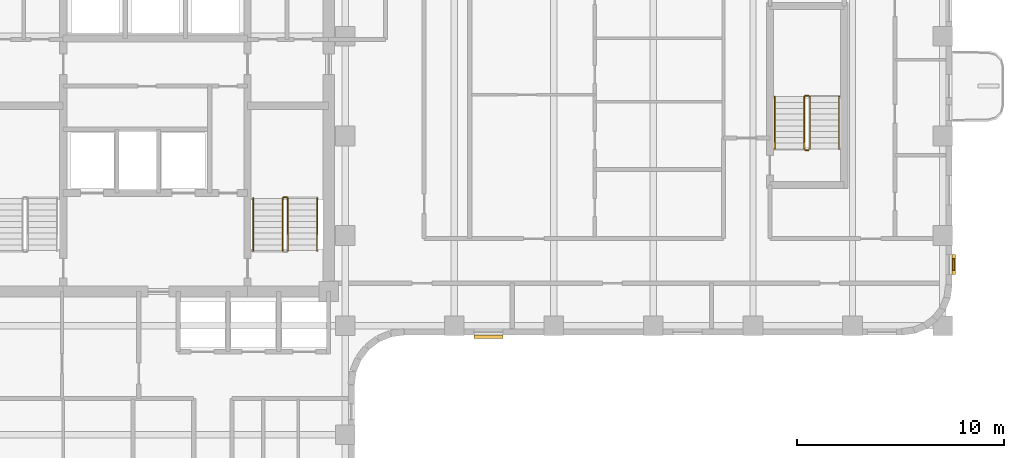
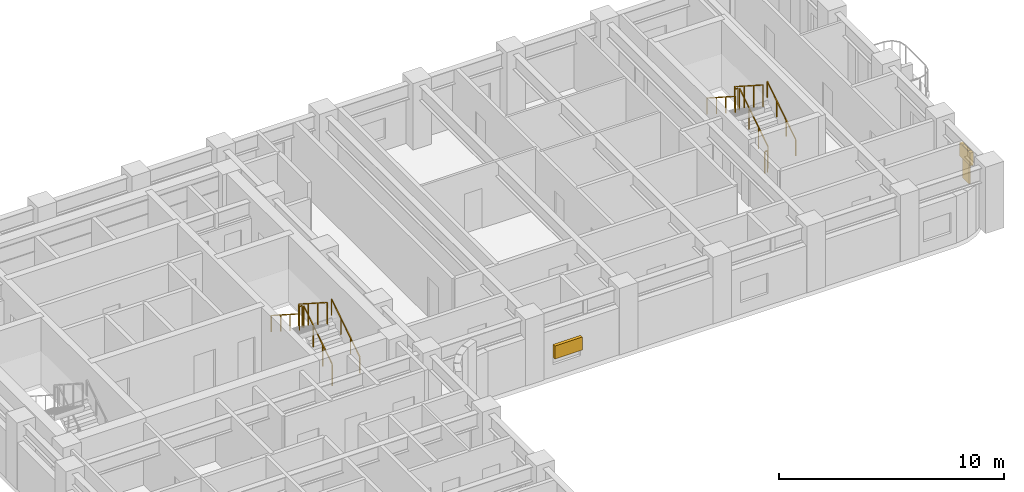
# One storey, part 9 of 10: 11 railings, 3 shading devices.
"""IFC4 building model written with IfcOpenShell, lengths in metres."""

from ifc_helpers import new_model, si_unit, direction, frame, origin, origin_2d, place, context, subcontext, project, spatial, rectangle, extrude, material, type_object, element, save


model = new_model("IFC4")

# Units and contexts
model_context = context("Model", 3, precision=1e-05, world=origin(), true_north=direction((0.0, 1.0)))
body_context = subcontext(model_context, "Body", "Model", "MODEL_VIEW")
ifc_project = project(units=[si_unit("LENGTHUNIT", "METRE"), si_unit("AREAUNIT", "SQUARE_METRE"), si_unit("VOLUMEUNIT", "CUBIC_METRE"), si_unit("PLANEANGLEUNIT", "RADIAN"), si_unit("MASSUNIT", "GRAM", prefix="KILO")], contexts=[model_context])

# Site, building, storey
site_placement = place(None, origin())
site = spatial("IfcSite", under=ifc_project, at=site_placement, CompositionType="ELEMENT")
building_placement = place(site_placement, origin())
building = spatial("IfcBuilding", under=site, at=building_placement, Name="Orvandelia Arch Residences", CompositionType="ELEMENT")
storey_placement = place(building_placement, frame((0.0, 0.0, 139.60009765625)))
storey = spatial("IfcBuildingStorey", under=building, at=storey_placement, Name="L36", CompositionType="ELEMENT", Elevation=139.60009765625)

# Railings
ifc_material_1 = material(Name="Brushed Stainless Steel 304", Category="steel")
railing_type_1 = type_object("IfcRailingType", Name="RL-STAIR-GD1120", PredefinedType="GUARDRAIL", material=ifc_material_1)
railing_1_placement = place(storey_placement, frame((20.780029296875, 32.8701171875, 0.179931640625)))
element("IfcRailing", 1, at=railing_1_placement, inside=storey, type_object=railing_type_1, Name="L36 ST-2 stair guard 1", PredefinedType="GUARDRAIL", context=body_context, shape_type="SweptSolid", body=[
    extrude(rectangle(XDim=0.048095703125, YDim=0.048095703125, at=origin_2d()), frame((0.0, 0.0, 1.17578125), z_axis=(0.0, 0.841175827307, 0.540761710511), x_axis=(-1.0, 0.0, 0.0)), (0.0, 0.0, 1.0), 2.99560546875),
    extrude(rectangle(XDim=0.0419921875, YDim=0.0419921875, at=origin_2d()), origin(), (0.0, 0.0, 1.0), 1.15185546875),
    extrude(rectangle(XDim=0.0419921875, YDim=0.0419921875, at=origin_2d()), frame((0.0, 0.83984375, 0.5400390625)), (0.0, 0.0, 1.0), 1.15185546875),
    extrude(rectangle(XDim=0.0419921875, YDim=0.0419921875, at=origin_2d()), frame((0.0, 1.679931640625, 1.079833984375)), (0.0, 0.0, 1.0), 1.15185546875),
    extrude(rectangle(XDim=0.0419921875, YDim=0.0419921875, at=origin_2d()), frame((0.0, 2.519775390625, 1.619873046875)), (0.0, 0.0, 1.0), 1.15185546875),
])
railing_2_placement = place(storey_placement, frame((20.72998046875, 35.43994140625, 1.7998046875)))
element("IfcRailing", 2, at=railing_2_placement, inside=storey, type_object=railing_type_1, Name="L36 ST-2 stair guard 2", PredefinedType="GUARDRAIL", context=body_context, shape_type="SweptSolid", body=[
    extrude(rectangle(XDim=0.048095703125, YDim=0.048095703125, at=origin_2d()), frame((0.0, 0.0, 1.17578125), z_axis=(-1.0, 0.0, 0.0), x_axis=(0.0, -1.0, 0.0)), (0.0, 0.0, 1.0), 0.14990234375),
    extrude(rectangle(XDim=0.0419921875, YDim=0.0419921875, at=origin_2d()), origin(), (0.0, 0.0, 1.0), 1.15185546875),
    extrude(rectangle(XDim=0.0419921875, YDim=0.0419921875, at=origin_2d()), frame((-0.14990234375, 0.0, 0.0)), (0.0, 0.0, 1.0), 1.15185546875),
])
railing_3_placement = place(storey_placement, frame((20.530029296875, 35.389892578125, 1.97998046875)))
element("IfcRailing", 3, at=railing_3_placement, inside=storey, type_object=railing_type_1, Name="L36 ST-2 stair guard 3", PredefinedType="GUARDRAIL", context=body_context, shape_type="SweptSolid", body=[
    extrude(rectangle(XDim=0.048095703125, YDim=0.048095703125, at=origin_2d()), frame((0.0, 0.0, 1.17578125), z_axis=(0.0, -0.841175827307, 0.540761710511), x_axis=(1.0, 0.0, 0.0)), (0.0, 0.0, 1.0), 2.99560546875),
    extrude(rectangle(XDim=0.0419921875, YDim=0.0419921875, at=origin_2d()), origin(), (0.0, 0.0, 1.0), 1.15185546875),
    extrude(rectangle(XDim=0.0419921875, YDim=0.0419921875, at=origin_2d()), frame((0.0, -0.83984375, 0.5400390625)), (0.0, 0.0, 1.0), 1.15185546875),
    extrude(rectangle(XDim=0.0419921875, YDim=0.0419921875, at=origin_2d()), frame((0.0, -1.679931640625, 1.079833984375)), (0.0, 0.0, 1.0), 1.15185546875),
    extrude(rectangle(XDim=0.0419921875, YDim=0.0419921875, at=origin_2d()), frame((0.0, -2.519775390625, 1.619873046875)), (0.0, 0.0, 1.0), 1.15185546875),
])
railing_4_placement = place(storey_placement, frame((45.929931640625, 37.77001953125, 0.179931640625)))
element("IfcRailing", 4, at=railing_4_placement, inside=storey, type_object=railing_type_1, Name="L36 ST-3 stair guard 1", PredefinedType="GUARDRAIL", context=body_context, shape_type="SweptSolid", body=[
    extrude(rectangle(XDim=0.048095703125, YDim=0.048095703125, at=origin_2d()), frame((0.0, 0.0, 1.17578125), z_axis=(0.0, 0.841199657755, 0.540724639528), x_axis=(-1.0, 0.0, 0.0)), (0.0, 0.0, 1.0), 2.995849609375),
    extrude(rectangle(XDim=0.0419921875, YDim=0.0419921875, at=origin_2d()), origin(), (0.0, 0.0, 1.0), 1.15185546875),
    extrude(rectangle(XDim=0.0419921875, YDim=0.0419921875, at=origin_2d()), frame((0.0, 0.840087890625, 0.5400390625)), (0.0, 0.0, 1.0), 1.15185546875),
    extrude(rectangle(XDim=0.0419921875, YDim=0.0419921875, at=origin_2d()), frame((0.0, 1.679931640625, 1.079833984375)), (0.0, 0.0, 1.0), 1.15185546875),
    extrude(rectangle(XDim=0.0419921875, YDim=0.0419921875, at=origin_2d()), frame((0.0, 2.52001953125, 1.619873046875)), (0.0, 0.0, 1.0), 1.15185546875),
])
railing_5_placement = place(storey_placement, frame((45.8798828125, 40.340087890625, 1.7998046875)))
element("IfcRailing", 5, at=railing_5_placement, inside=storey, type_object=railing_type_1, Name="L36 ST-3 stair guard 2", PredefinedType="GUARDRAIL", context=body_context, shape_type="SweptSolid", body=[
    extrude(rectangle(XDim=0.048095703125, YDim=0.048095703125, at=origin_2d()), frame((0.0, 0.0, 1.17578125), z_axis=(-1.0, 0.0, 0.0), x_axis=(0.0, -1.0, 0.0)), (0.0, 0.0, 1.0), 0.14990234375),
    extrude(rectangle(XDim=0.0419921875, YDim=0.0419921875, at=origin_2d()), origin(), (0.0, 0.0, 1.0), 1.15185546875),
    extrude(rectangle(XDim=0.0419921875, YDim=0.0419921875, at=origin_2d()), frame((-0.14990234375, 0.0, 0.0)), (0.0, 0.0, 1.0), 1.15185546875),
])
railing_6_placement = place(storey_placement, frame((45.679931640625, 40.2900390625, 1.97998046875)))
element("IfcRailing", 6, at=railing_6_placement, inside=storey, type_object=railing_type_1, Name="L36 ST-3 stair guard 3", PredefinedType="GUARDRAIL", context=body_context, shape_type="SweptSolid", body=[
    extrude(rectangle(XDim=0.048095703125, YDim=0.048095703125, at=origin_2d()), frame((0.0, 0.0, 1.17578125), z_axis=(0.0, -0.841199657755, 0.540724639528), x_axis=(1.0, 0.0, 0.0)), (0.0, 0.0, 1.0), 2.995849609375),
    extrude(rectangle(XDim=0.0419921875, YDim=0.0419921875, at=origin_2d()), origin(), (0.0, 0.0, 1.0), 1.15185546875),
    extrude(rectangle(XDim=0.0419921875, YDim=0.0419921875, at=origin_2d()), frame((0.0, -0.840087890625, 0.5400390625)), (0.0, 0.0, 1.0), 1.15185546875),
    extrude(rectangle(XDim=0.0419921875, YDim=0.0419921875, at=origin_2d()), frame((0.0, -1.679931640625, 1.079833984375)), (0.0, 0.0, 1.0), 1.15185546875),
    extrude(rectangle(XDim=0.0419921875, YDim=0.0419921875, at=origin_2d()), frame((0.0, -2.52001953125, 1.619873046875)), (0.0, 0.0, 1.0), 1.15185546875),
])
railing_7_placement = place(storey_placement, frame((45.8798828125, 37.719970703125, 0.0)))
element("IfcRailing", 7, at=railing_7_placement, inside=storey, type_object=railing_type_1, Name="L36 ST-3 stair guard 4", PredefinedType="GUARDRAIL", context=body_context, shape_type="SweptSolid", body=[
    extrude(rectangle(XDim=0.048095703125, YDim=0.048095703125, at=origin_2d()), frame((0.0, 0.0, 1.17578125), z_axis=(-1.0, 0.0, 0.0), x_axis=(0.0, -1.0, 0.0)), (0.0, 0.0, 1.0), 0.14990234375),
    extrude(rectangle(XDim=0.0419921875, YDim=0.0419921875, at=origin_2d()), origin(), (0.0, 0.0, 1.0), 1.15185546875),
    extrude(rectangle(XDim=0.0419921875, YDim=0.0419921875, at=origin_2d()), frame((-0.14990234375, 0.0, 0.0)), (0.0, 0.0, 1.0), 1.15185546875),
])
railing_type_2 = type_object("IfcRailingType", Name="RL-STAIR-HR920", PredefinedType="HANDRAIL", material=ifc_material_1)
railing_8_placement = place(storey_placement, frame((22.199951171875, 32.8701171875, 0.35986328125)))
element("IfcRailing", 8, at=railing_8_placement, inside=storey, type_object=railing_type_2, Name="L36 ST-2 stair handrail 1", PredefinedType="HANDRAIL", context=body_context, shape_type="SweptSolid", body=[
    extrude(rectangle(XDim=0.048095703125, YDim=0.048095703125, at=origin_2d()), frame((0.0, 0.0, 0.8759765625), z_axis=(0.0, 0.841138753965, 0.540819375188), x_axis=(-1.0, 0.0, 0.0)), (0.0, 0.0, 1.0), 2.99560546875),
    extrude(rectangle(XDim=0.0419921875, YDim=0.0419921875, at=origin_2d()), origin(), (0.0, 0.0, 1.0), 0.851806640625),
    extrude(rectangle(XDim=0.0419921875, YDim=0.0419921875, at=origin_2d()), frame((0.0, 0.83984375, 0.5400390625)), (0.0, 0.0, 1.0), 0.851806640625),
    extrude(rectangle(XDim=0.0419921875, YDim=0.0419921875, at=origin_2d()), frame((0.0, 1.679931640625, 1.080078125)), (0.0, 0.0, 1.0), 0.851806640625),
    extrude(rectangle(XDim=0.0419921875, YDim=0.0419921875, at=origin_2d()), frame((0.0, 2.519775390625, 1.6201171875)), (0.0, 0.0, 1.0), 0.851806640625),
])
railing_9_placement = place(storey_placement, frame((19.110107421875, 35.389892578125, 2.159912109375)))
element("IfcRailing", 9, at=railing_9_placement, inside=storey, type_object=railing_type_2, Name="L36 ST-2 stair handrail 2", PredefinedType="HANDRAIL", context=body_context, shape_type="SweptSolid", body=[
    extrude(rectangle(XDim=0.048095703125, YDim=0.048095703125, at=origin_2d()), frame((0.0, 0.0, 0.8759765625), z_axis=(0.0, -0.841175827307, 0.540761710511), x_axis=(1.0, 0.0, 0.0)), (0.0, 0.0, 1.0), 2.99560546875),
    extrude(rectangle(XDim=0.0419921875, YDim=0.0419921875, at=origin_2d()), origin(), (0.0, 0.0, 1.0), 0.851806640625),
    extrude(rectangle(XDim=0.0419921875, YDim=0.0419921875, at=origin_2d()), frame((0.0, -0.83984375, 0.5400390625)), (0.0, 0.0, 1.0), 0.851806640625),
    extrude(rectangle(XDim=0.0419921875, YDim=0.0419921875, at=origin_2d()), frame((0.0, -1.679931640625, 1.079833984375)), (0.0, 0.0, 1.0), 0.851806640625),
    extrude(rectangle(XDim=0.0419921875, YDim=0.0419921875, at=origin_2d()), frame((0.0, -2.519775390625, 1.619873046875)), (0.0, 0.0, 1.0), 0.851806640625),
])
railing_10_placement = place(storey_placement, frame((47.35009765625, 37.77001953125, 0.35986328125)))
element("IfcRailing", 10, at=railing_10_placement, inside=storey, type_object=railing_type_2, Name="L36 ST-3 stair handrail 1", PredefinedType="HANDRAIL", context=body_context, shape_type="SweptSolid", body=[
    extrude(rectangle(XDim=0.048095703125, YDim=0.048095703125, at=origin_2d()), frame((0.0, 0.0, 0.8759765625), z_axis=(0.0, 0.841162588446, 0.540782303519), x_axis=(-1.0, 0.0, 0.0)), (0.0, 0.0, 1.0), 2.995849609375),
    extrude(rectangle(XDim=0.0419921875, YDim=0.0419921875, at=origin_2d()), origin(), (0.0, 0.0, 1.0), 0.851806640625),
    extrude(rectangle(XDim=0.0419921875, YDim=0.0419921875, at=origin_2d()), frame((0.0, 0.840087890625, 0.5400390625)), (0.0, 0.0, 1.0), 0.851806640625),
    extrude(rectangle(XDim=0.0419921875, YDim=0.0419921875, at=origin_2d()), frame((0.0, 1.679931640625, 1.080078125)), (0.0, 0.0, 1.0), 0.851806640625),
    extrude(rectangle(XDim=0.0419921875, YDim=0.0419921875, at=origin_2d()), frame((0.0, 2.52001953125, 1.6201171875)), (0.0, 0.0, 1.0), 0.851806640625),
])
railing_11_placement = place(storey_placement, frame((44.260009765625, 40.2900390625, 2.159912109375)))
element("IfcRailing", 11, at=railing_11_placement, inside=storey, type_object=railing_type_2, Name="L36 ST-3 stair handrail 2", PredefinedType="HANDRAIL", context=body_context, shape_type="SweptSolid", body=[
    extrude(rectangle(XDim=0.048095703125, YDim=0.048095703125, at=origin_2d()), frame((0.0, 0.0, 0.8759765625), z_axis=(0.0, -0.841199657755, 0.540724639528), x_axis=(1.0, 0.0, 0.0)), (0.0, 0.0, 1.0), 2.995849609375),
    extrude(rectangle(XDim=0.0419921875, YDim=0.0419921875, at=origin_2d()), origin(), (0.0, 0.0, 1.0), 0.851806640625),
    extrude(rectangle(XDim=0.0419921875, YDim=0.0419921875, at=origin_2d()), frame((0.0, -0.840087890625, 0.5400390625)), (0.0, 0.0, 1.0), 0.851806640625),
    extrude(rectangle(XDim=0.0419921875, YDim=0.0419921875, at=origin_2d()), frame((0.0, -1.679931640625, 1.079833984375)), (0.0, 0.0, 1.0), 0.851806640625),
    extrude(rectangle(XDim=0.0419921875, YDim=0.0419921875, at=origin_2d()), frame((0.0, -2.52001953125, 1.619873046875)), (0.0, 0.0, 1.0), 0.851806640625),
])

# Shading devices
ifc_material_2 = material(Name="Anodised Champagne-Bronze Extruded Aluminium", Category="aluminium")
shading_device_type_1 = type_object("IfcShadingDeviceType", Name="SHD-JALOUSIE-SCREEN", PredefinedType="JALOUSIE", material=ifc_material_2)
shading_device_1_placement = place(storey_placement, frame((52.8798828125, 32.202392578125, 1.5498046875), z_axis=(0.0, 0.0, 1.0), x_axis=(0.0, -1.0, 0.0)))
element("IfcShadingDevice", 12, at=shading_device_1_placement, inside=storey, type_object=shading_device_type_1, Name="Bronze Jalousie Sun-Shade L36-003", PredefinedType="JALOUSIE", context=body_context, shape_type="SweptSolid", body=[
    extrude(rectangle(XDim=0.949951171875, YDim=0.159912109375, at=origin_2d()), origin(), (0.0, 0.0, 1.0), 0.699951171875),
])
shading_device_2_placement = place(storey_placement, frame((30.447509765625, 28.719970703125, 1.0498046875), z_axis=(0.0, 0.0, 1.0), x_axis=(-1.0, 0.0, 0.0)))
element("IfcShadingDevice", 13, at=shading_device_2_placement, inside=storey, type_object=shading_device_type_1, Name="Bronze Jalousie Sun-Shade L36-004", PredefinedType="JALOUSIE", context=body_context, shape_type="SweptSolid", body=[
    extrude(rectangle(XDim=1.39990234375, YDim=0.159912109375, at=origin_2d()), origin(), (0.0, 0.0, 1.0), 0.699951171875),
])
ifc_material_3 = material(Name="Marine-Grade Perforated Aluminium Storm Shutter", Category="aluminium")
shading_device_type_2 = type_object("IfcShadingDeviceType", Name="SHD-STORM-SHUTTER", PredefinedType="SHUTTER", material=ifc_material_3)
shading_device_3_placement = place(storey_placement, frame((52.8798828125, 32.202392578125, 0.44970703125), z_axis=(0.0, 0.0, 1.0), x_axis=(0.0, -1.0, 0.0)))
element("IfcShadingDevice", 14, at=shading_device_3_placement, inside=storey, type_object=shading_device_type_2, Name="Operable Typhoon Storm Shutter L36-003", PredefinedType="SHUTTER", context=body_context, shape_type="SweptSolid", body=[
    extrude(rectangle(XDim=0.550048828125, YDim=0.080078125, at=origin_2d()), origin(), (0.0, 0.0, 1.0), 1.800048828125),
])

save(model, "model.ifc")
